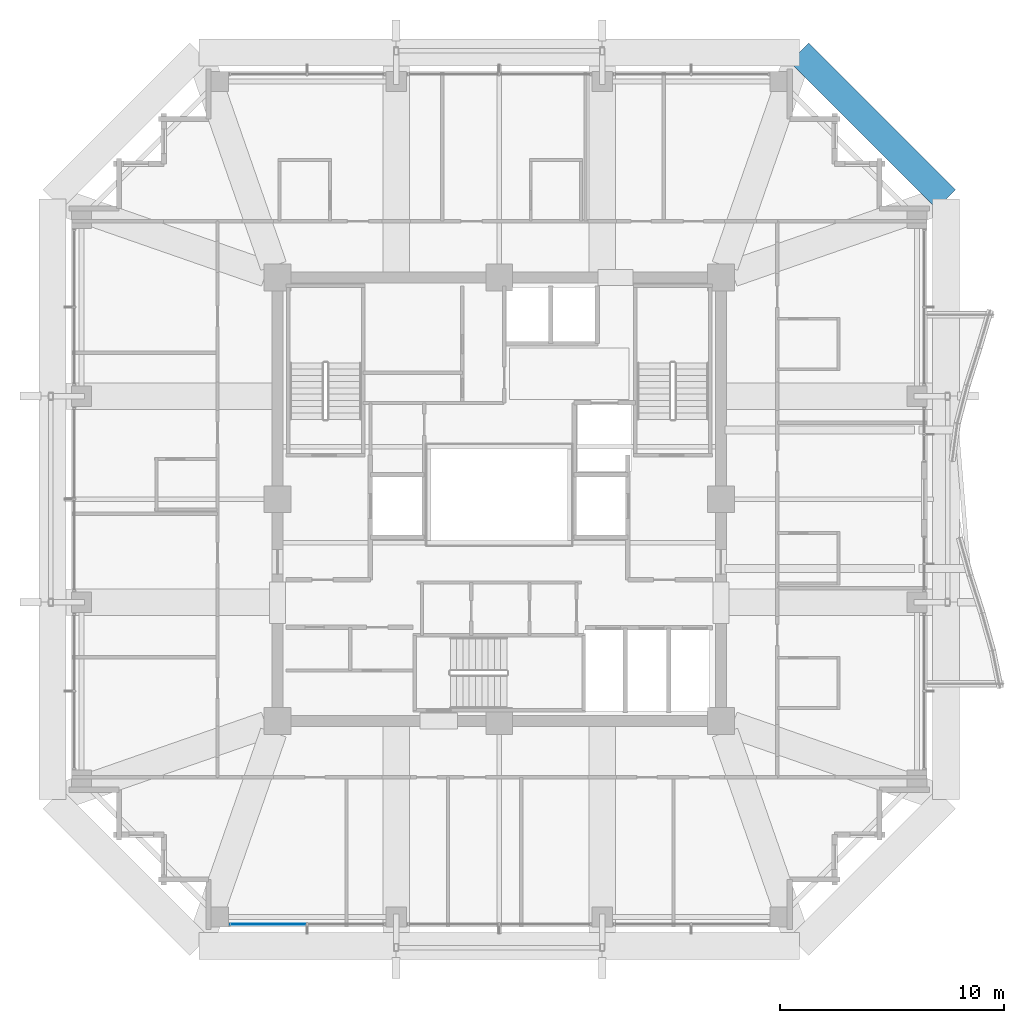
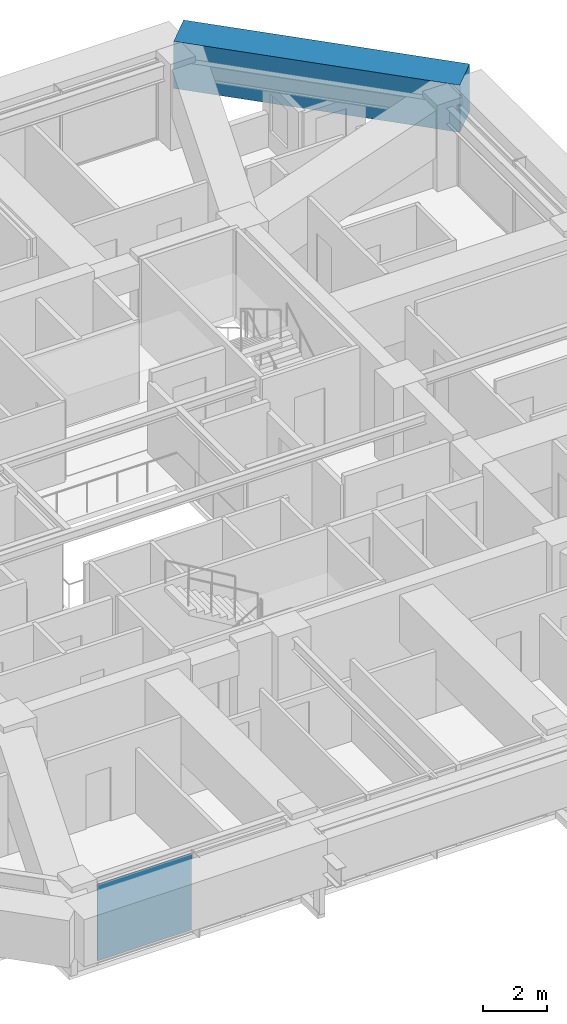
# One storey, part 28 of 40: 1 beam, 1 plate, 1 element without a shape of its own.
"""IFC4 building model written with IfcOpenShell, lengths in metres."""

from ifc_helpers import new_model, si_unit, direction, frame, origin, origin_2d, place, context, subcontext, project, spatial, rectangle, extrude, material, layer, layer_set, material_profile, profile_set, type_object, element, aggregate, save


model = new_model("IFC4")

# Units and contexts
model_context = context("Model", 3, precision=1e-05, world=origin(), true_north=direction((0.0, 1.0)))
body_context = subcontext(model_context, "Body", "Model", "MODEL_VIEW")
ifc_project = project(units=[si_unit("LENGTHUNIT", "METRE"), si_unit("AREAUNIT", "SQUARE_METRE"), si_unit("VOLUMEUNIT", "CUBIC_METRE"), si_unit("PLANEANGLEUNIT", "RADIAN"), si_unit("MASSUNIT", "GRAM", prefix="KILO")], contexts=[model_context])

# Site, building, storey
site_placement = place(None, origin())
site = spatial("IfcSite", under=ifc_project, at=site_placement, CompositionType="ELEMENT")
building_placement = place(site_placement, origin())
building = spatial("IfcBuilding", under=site, at=building_placement, Name="Kolvaren Belvedere", CompositionType="ELEMENT")
storey_placement = place(building_placement, frame((0.0, 0.0, 170.10009765625)))
storey = spatial("IfcBuildingStorey", under=building, at=storey_placement, Name="L49", CompositionType="ELEMENT", Elevation=170.10009765625)

# Beam
ifc_material_1 = material(Name="Concrete C50/60", Category="concrete")
ifc_material_profile = material_profile(ifc_material_1, rectangle(XDim=1.199951171875, YDim=1.800048828125, at=origin_2d()), Name="RC 1200X1800")
ifc_profile_set = profile_set([ifc_material_profile], Name="Concrete C50/60")
beam_type = type_object("IfcBeamType", Name="BM-TG-1800", PredefinedType="BEAM", material=ifc_profile_set)
beam_placement = place(storey_placement, frame((19.949951171875, 13.39990234375, 2.179931640625), z_axis=(-0.707106781187, 0.707106781187, 0.0), x_axis=(-0.707106781187, -0.707106781187, 0.0)))
element("IfcBeam", 1, at=beam_placement, inside=storey, type_object=beam_type, Name="L49 Step Transfer Ring Girder E4-N4", PredefinedType="BEAM", context=body_context, shape_type="SweptSolid", body=[
    extrude(rectangle(XDim=1.199951171875, YDim=1.800048828125, at=origin_2d()), origin(), (0.0, 0.0, 1.0), 9.26318359375),
])

# Curtain wall, plate
ifc_material_2 = material(Name="Anodised pale-metal aluminium AA 6063-T6", Category="aluminium")
curtain_wall_type = type_object("IfcCurtainWallType", Name="CW-Z3-WAIST", PredefinedType="NOTDEFINED", material=ifc_material_2)
curtain_wall_placement = place(storey_placement, origin())
curtain_wall = element("IfcCurtainWall", 2, at=curtain_wall_placement, inside=storey, type_object=curtain_wall_type, Name="L49 Unitised Curtain Wall FCW-L49-S-B3", PredefinedType="NOTDEFINED")
ifc_material_3 = material(Name="Low-iron triple insulated glass", Category="glass")
ifc_layer = layer(ifc_material_3, 0.028076171875)
ifc_layer_set = layer_set([ifc_layer], Name="Low-iron triple insulated glass")
plate_type = type_object("IfcPlateType", Name="CW-PNL-VIS28", PredefinedType="CURTAIN_PANEL", material=ifc_layer_set)
plate_placement = place(storey_placement, frame((-10.311279296875, -18.97998046875, 0.079833984375), z_axis=(0.0, 0.0, 1.0), x_axis=(-1.0, 0.0, 0.0)))
plate = element("IfcPlate", 3, at=plate_placement, type_object=plate_type, Name="FCW-L49-S-B3 Vision Glazing Panel 2", PredefinedType="CURTAIN_PANEL", context=body_context, shape_type="SweptSolid", body=[
    extrude(rectangle(XDim=3.392578125, YDim=0.028076171875, at=origin_2d()), origin(), (0.0, 0.0, 1.0), 2.919921875),
])
aggregate(curtain_wall, [plate])

save(model, "model.ifc")
